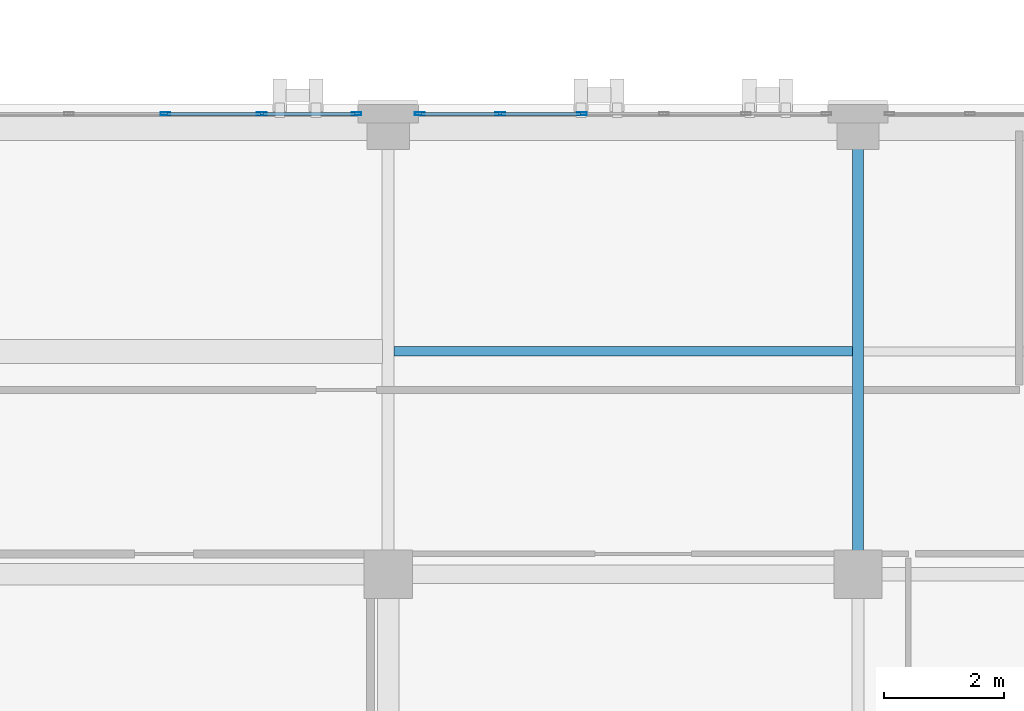
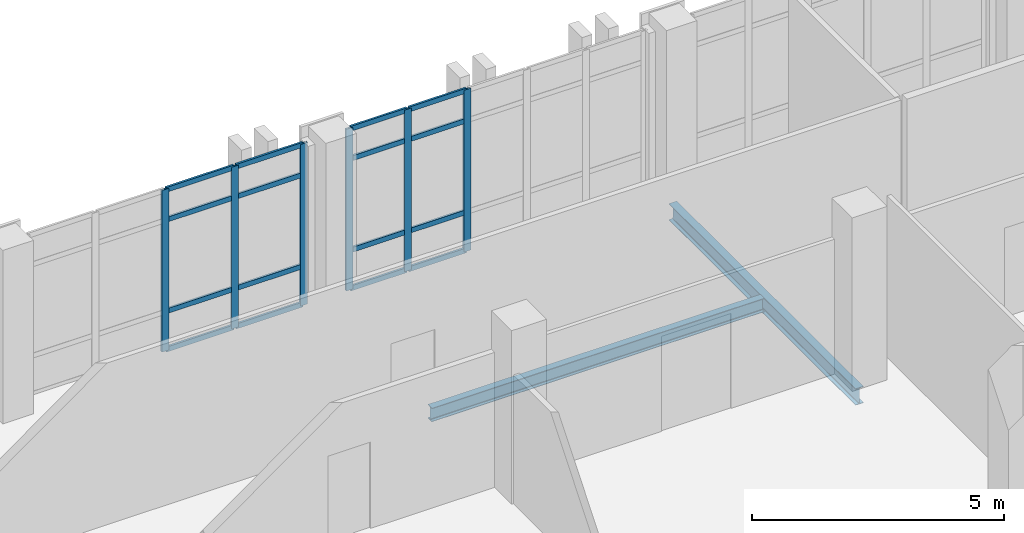
# One storey, part 122 of 193: 22 members, 2 beams, 2 elements without a shape of their own.
"""IFC4 building model written with IfcOpenShell, lengths in metres."""

from ifc_helpers import new_model, si_unit, direction, frame, origin, origin_2d, place, context, subcontext, project, spatial, hollow_rectangle, i_section, extrude, material, layer, layer_set, material_profile, profile_set, type_object, element, aggregate, save


model = new_model("IFC4")

# Units and contexts
model_context = context("Model", 3, precision=1e-05, world=origin(), true_north=direction((0.0, 1.0)))
body_context = subcontext(model_context, "Body", "Model", "MODEL_VIEW")
ifc_project = project(units=[si_unit("LENGTHUNIT", "METRE"), si_unit("AREAUNIT", "SQUARE_METRE"), si_unit("VOLUMEUNIT", "CUBIC_METRE"), si_unit("PLANEANGLEUNIT", "RADIAN"), si_unit("MASSUNIT", "GRAM", prefix="KILO")], contexts=[model_context])

# Site, building, storey
site_placement = place(None, origin())
site = spatial("IfcSite", under=ifc_project, at=site_placement, CompositionType="ELEMENT")
building_placement = place(site_placement, origin())
building = spatial("IfcBuilding", under=site, at=building_placement, Name="Qalavern Law Courts", CompositionType="ELEMENT")
storey_placement = place(building_placement, frame((0.0, 0.0, 10.199951171875)))
storey = spatial("IfcBuildingStorey", under=building, at=storey_placement, Name="L02", CompositionType="ELEMENT", Elevation=10.199951171875)

# Curtain wall, members
ifc_material_1 = material(Name="Anodised aluminium and insulated glazing", Category="aluminium")
ifc_layer = layer(ifc_material_1, 0.172119140625)
ifc_layer_set = layer_set([ifc_layer], Name="Anodised aluminium and insulated glazing")
curtain_wall_type = type_object("IfcCurtainWallType", Name="ENV-CW-COURT", PredefinedType="USERDEFINED", material=ifc_layer_set)
curtain_wall_1_placement = place(storey_placement, origin())
curtain_wall_1 = element("IfcCurtainWall", 1, at=curtain_wall_1_placement, inside=storey, type_object=curtain_wall_type, Name="V6 unitised curtain wall L02 north 4", ObjectType="UNITISED CURTAIN WALL", PredefinedType="USERDEFINED")
ifc_material_2 = material(Name="Anodised aluminium", Category="aluminium")
ifc_material_profile_1 = material_profile(ifc_material_2, hollow_rectangle(XDim=0.048095703125, YDim=0.159912109375, WallThickness=0.00390625, at=origin_2d()), Name="ALU MULLION 48x160")
ifc_profile_set_1 = profile_set([ifc_material_profile_1], Name="Anodised aluminium")
member_type_1 = type_object("IfcMemberType", Name="ENV-CWM-48x160", PredefinedType="MULLION", material=ifc_profile_set_1)
member_1_placement = place(storey_placement, frame((137.419921875, 22.445068359375, 0.0), z_axis=(0.0, 0.0, 1.0), x_axis=(0.0, -1.0, 0.0)))
member_1 = element("IfcMember", 2, at=member_1_placement, type_object=member_type_1, Name="CW-03 mullion 4", PredefinedType="MULLION", context=body_context, shape_type="SweptSolid", body=[
    extrude(hollow_rectangle(XDim=0.048095703125, YDim=0.159912109375, WallThickness=0.00390625, at=origin_2d()), origin(), (0.0, 0.0, 1.0), 3.9150390625),
])
member_2_placement = place(storey_placement, frame((136.06005859375, 22.445068359375, 0.0), z_axis=(0.0, 0.0, 1.0), x_axis=(0.0, -1.0, 0.0)))
member_2 = element("IfcMember", 3, at=member_2_placement, type_object=member_type_1, Name="CW-03 mullion 5", PredefinedType="MULLION", context=body_context, shape_type="SweptSolid", body=[
    extrude(hollow_rectangle(XDim=0.048095703125, YDim=0.159912109375, WallThickness=0.00390625, at=origin_2d()), origin(), (0.0, 0.0, 1.0), 3.9150390625),
])
member_3_placement = place(storey_placement, frame((134.72412109375, 22.445068359375, 0.0), z_axis=(0.0, 0.0, 1.0), x_axis=(0.0, -1.0, 0.0)))
member_3 = element("IfcMember", 4, at=member_3_placement, type_object=member_type_1, Name="CW-03 mullion 6", PredefinedType="MULLION", context=body_context, shape_type="SweptSolid", body=[
    extrude(hollow_rectangle(XDim=0.048095703125, YDim=0.159912109375, WallThickness=0.00390625, at=origin_2d()), origin(), (0.0, 0.0, 1.0), 3.9150390625),
])

curtain_wall_2_placement = place(storey_placement, origin())
curtain_wall_2 = element("IfcCurtainWall", 5, at=curtain_wall_2_placement, inside=storey, type_object=curtain_wall_type, Name="V6 unitised curtain wall L02 north 5", ObjectType="UNITISED CURTAIN WALL", PredefinedType="USERDEFINED")
member_4_placement = place(storey_placement, frame((133.676025390625, 22.445068359375, 0.0), z_axis=(0.0, 0.0, 1.0), x_axis=(0.0, -1.0, 0.0)))
member_4 = element("IfcMember", 6, at=member_4_placement, type_object=member_type_1, Name="CW-03 mullion 1", PredefinedType="MULLION", context=body_context, shape_type="SweptSolid", body=[
    extrude(hollow_rectangle(XDim=0.048095703125, YDim=0.159912109375, WallThickness=0.00390625, at=origin_2d()), origin(), (0.0, 0.0, 1.0), 3.9150390625),
])
member_5_placement = place(storey_placement, frame((132.10009765625, 22.445068359375, 0.0), z_axis=(0.0, 0.0, 1.0), x_axis=(0.0, -1.0, 0.0)))
member_5 = element("IfcMember", 7, at=member_5_placement, type_object=member_type_1, Name="CW-03 mullion 2", PredefinedType="MULLION", context=body_context, shape_type="SweptSolid", body=[
    extrude(hollow_rectangle(XDim=0.048095703125, YDim=0.159912109375, WallThickness=0.00390625, at=origin_2d()), origin(), (0.0, 0.0, 1.0), 3.9150390625),
])
member_6_placement = place(storey_placement, frame((130.5, 22.445068359375, 0.0), z_axis=(0.0, 0.0, 1.0), x_axis=(0.0, -1.0, 0.0)))
member_6 = element("IfcMember", 8, at=member_6_placement, type_object=member_type_1, Name="CW-03 mullion 3", PredefinedType="MULLION", context=body_context, shape_type="SweptSolid", body=[
    extrude(hollow_rectangle(XDim=0.048095703125, YDim=0.159912109375, WallThickness=0.00390625, at=origin_2d()), origin(), (0.0, 0.0, 1.0), 3.9150390625),
])

# Member
ifc_material_profile_2 = material_profile(ifc_material_2, hollow_rectangle(XDim=0.048095703125, YDim=0.1201171875, WallThickness=0.00390625, at=origin_2d()), Name="ALU TRANSOM 48x120")
ifc_profile_set_2 = profile_set([ifc_material_profile_2], Name="Anodised aluminium")
member_type_2 = type_object("IfcMemberType", Name="ENV-CWT-48x120", PredefinedType="USERDEFINED", material=ifc_profile_set_2)
member_7_placement = place(storey_placement, frame((137.39599609375, 22.445068359375, 0.024169921875), z_axis=(-1.0, 0.0, 0.0), x_axis=(0.0, -1.0, 0.0)))
member_7 = element("IfcMember", 9, at=member_7_placement, type_object=member_type_2, Name="CW-03 transom 4.1", ObjectType="TRANSOM", PredefinedType="USERDEFINED", context=body_context, shape_type="SweptSolid", body=[
    extrude(hollow_rectangle(XDim=0.048095703125, YDim=0.1201171875, WallThickness=0.00390625, at=origin_2d()), origin(), (0.0, 0.0, 1.0), 1.31201171875),
])

member_8_placement = place(storey_placement, frame((137.39599609375, 22.445068359375, 0.949951171875), z_axis=(-1.0, 0.0, 0.0), x_axis=(0.0, -1.0, 0.0)))
member_8 = element("IfcMember", 10, at=member_8_placement, type_object=member_type_2, Name="CW-03 transom 4.2", ObjectType="TRANSOM", PredefinedType="USERDEFINED", context=body_context, shape_type="SweptSolid", body=[
    extrude(hollow_rectangle(XDim=0.048095703125, YDim=0.1201171875, WallThickness=0.00390625, at=origin_2d()), origin(), (0.0, 0.0, 1.0), 1.31201171875),
])

member_9_placement = place(storey_placement, frame((137.39599609375, 22.445068359375, 3.1650390625), z_axis=(-1.0, 0.0, 0.0), x_axis=(0.0, -1.0, 0.0)))
member_9 = element("IfcMember", 11, at=member_9_placement, type_object=member_type_2, Name="CW-03 transom 4.3", ObjectType="TRANSOM", PredefinedType="USERDEFINED", context=body_context, shape_type="SweptSolid", body=[
    extrude(hollow_rectangle(XDim=0.048095703125, YDim=0.1201171875, WallThickness=0.00390625, at=origin_2d()), origin(), (0.0, 0.0, 1.0), 1.31201171875),
])

member_10_placement = place(storey_placement, frame((137.39599609375, 22.445068359375, 3.89111328125), z_axis=(-1.0, 0.0, 0.0), x_axis=(0.0, -1.0, 0.0)))
member_10 = element("IfcMember", 12, at=member_10_placement, type_object=member_type_2, Name="CW-03 transom 4.4", ObjectType="TRANSOM", PredefinedType="USERDEFINED", context=body_context, shape_type="SweptSolid", body=[
    extrude(hollow_rectangle(XDim=0.048095703125, YDim=0.1201171875, WallThickness=0.00390625, at=origin_2d()), origin(), (0.0, 0.0, 1.0), 1.31201171875),
])

member_11_placement = place(storey_placement, frame((136.035888671875, 22.445068359375, 0.024169921875), z_axis=(-1.0, 0.0, 0.0), x_axis=(0.0, -1.0, 0.0)))
member_11 = element("IfcMember", 13, at=member_11_placement, type_object=member_type_2, Name="CW-03 transom 5.1", ObjectType="TRANSOM", PredefinedType="USERDEFINED", context=body_context, shape_type="SweptSolid", body=[
    extrude(hollow_rectangle(XDim=0.048095703125, YDim=0.1201171875, WallThickness=0.00390625, at=origin_2d()), origin(), (0.0, 0.0, 1.0), 1.287841796875),
])

member_12_placement = place(storey_placement, frame((136.035888671875, 22.445068359375, 0.949951171875), z_axis=(-1.0, 0.0, 0.0), x_axis=(0.0, -1.0, 0.0)))
member_12 = element("IfcMember", 14, at=member_12_placement, type_object=member_type_2, Name="CW-03 transom 5.2", ObjectType="TRANSOM", PredefinedType="USERDEFINED", context=body_context, shape_type="SweptSolid", body=[
    extrude(hollow_rectangle(XDim=0.048095703125, YDim=0.1201171875, WallThickness=0.00390625, at=origin_2d()), origin(), (0.0, 0.0, 1.0), 1.287841796875),
])

member_13_placement = place(storey_placement, frame((136.035888671875, 22.445068359375, 3.1650390625), z_axis=(-1.0, 0.0, 0.0), x_axis=(0.0, -1.0, 0.0)))
member_13 = element("IfcMember", 15, at=member_13_placement, type_object=member_type_2, Name="CW-03 transom 5.3", ObjectType="TRANSOM", PredefinedType="USERDEFINED", context=body_context, shape_type="SweptSolid", body=[
    extrude(hollow_rectangle(XDim=0.048095703125, YDim=0.1201171875, WallThickness=0.00390625, at=origin_2d()), origin(), (0.0, 0.0, 1.0), 1.287841796875),
])

member_14_placement = place(storey_placement, frame((136.035888671875, 22.445068359375, 3.89111328125), z_axis=(-1.0, 0.0, 0.0), x_axis=(0.0, -1.0, 0.0)))
member_14 = element("IfcMember", 16, at=member_14_placement, type_object=member_type_2, Name="CW-03 transom 5.4", ObjectType="TRANSOM", PredefinedType="USERDEFINED", context=body_context, shape_type="SweptSolid", body=[
    extrude(hollow_rectangle(XDim=0.048095703125, YDim=0.1201171875, WallThickness=0.00390625, at=origin_2d()), origin(), (0.0, 0.0, 1.0), 1.287841796875),
])

aggregate(curtain_wall_1, [member_1, member_2, member_3, member_7, member_8, member_9, member_10, member_11, member_12, member_13, member_14])

member_15_placement = place(storey_placement, frame((133.652099609375, 22.445068359375, 0.024169921875), z_axis=(-1.0, 0.0, 0.0), x_axis=(0.0, -1.0, 0.0)))
member_15 = element("IfcMember", 17, at=member_15_placement, type_object=member_type_2, Name="CW-03 transom 1.1", ObjectType="TRANSOM", PredefinedType="USERDEFINED", context=body_context, shape_type="SweptSolid", body=[
    extrude(hollow_rectangle(XDim=0.048095703125, YDim=0.1201171875, WallThickness=0.00390625, at=origin_2d()), origin(), (0.0, 0.0, 1.0), 1.528076171875),
])

member_16_placement = place(storey_placement, frame((133.652099609375, 22.445068359375, 0.949951171875), z_axis=(-1.0, 0.0, 0.0), x_axis=(0.0, -1.0, 0.0)))
member_16 = element("IfcMember", 18, at=member_16_placement, type_object=member_type_2, Name="CW-03 transom 1.2", ObjectType="TRANSOM", PredefinedType="USERDEFINED", context=body_context, shape_type="SweptSolid", body=[
    extrude(hollow_rectangle(XDim=0.048095703125, YDim=0.1201171875, WallThickness=0.00390625, at=origin_2d()), origin(), (0.0, 0.0, 1.0), 1.528076171875),
])

member_17_placement = place(storey_placement, frame((133.652099609375, 22.445068359375, 3.1650390625), z_axis=(-1.0, 0.0, 0.0), x_axis=(0.0, -1.0, 0.0)))
member_17 = element("IfcMember", 19, at=member_17_placement, type_object=member_type_2, Name="CW-03 transom 1.3", ObjectType="TRANSOM", PredefinedType="USERDEFINED", context=body_context, shape_type="SweptSolid", body=[
    extrude(hollow_rectangle(XDim=0.048095703125, YDim=0.1201171875, WallThickness=0.00390625, at=origin_2d()), origin(), (0.0, 0.0, 1.0), 1.528076171875),
])

member_18_placement = place(storey_placement, frame((133.652099609375, 22.445068359375, 3.89111328125), z_axis=(-1.0, 0.0, 0.0), x_axis=(0.0, -1.0, 0.0)))
member_18 = element("IfcMember", 20, at=member_18_placement, type_object=member_type_2, Name="CW-03 transom 1.4", ObjectType="TRANSOM", PredefinedType="USERDEFINED", context=body_context, shape_type="SweptSolid", body=[
    extrude(hollow_rectangle(XDim=0.048095703125, YDim=0.1201171875, WallThickness=0.00390625, at=origin_2d()), origin(), (0.0, 0.0, 1.0), 1.528076171875),
])

member_19_placement = place(storey_placement, frame((132.075927734375, 22.445068359375, 0.024169921875), z_axis=(-1.0, 0.0, 0.0), x_axis=(0.0, -1.0, 0.0)))
member_19 = element("IfcMember", 21, at=member_19_placement, type_object=member_type_2, Name="CW-03 transom 2.1", ObjectType="TRANSOM", PredefinedType="USERDEFINED", context=body_context, shape_type="SweptSolid", body=[
    extrude(hollow_rectangle(XDim=0.048095703125, YDim=0.1201171875, WallThickness=0.00390625, at=origin_2d()), origin(), (0.0, 0.0, 1.0), 1.552001953125),
])

member_20_placement = place(storey_placement, frame((132.075927734375, 22.445068359375, 0.949951171875), z_axis=(-1.0, 0.0, 0.0), x_axis=(0.0, -1.0, 0.0)))
member_20 = element("IfcMember", 22, at=member_20_placement, type_object=member_type_2, Name="CW-03 transom 2.2", ObjectType="TRANSOM", PredefinedType="USERDEFINED", context=body_context, shape_type="SweptSolid", body=[
    extrude(hollow_rectangle(XDim=0.048095703125, YDim=0.1201171875, WallThickness=0.00390625, at=origin_2d()), origin(), (0.0, 0.0, 1.0), 1.552001953125),
])

member_21_placement = place(storey_placement, frame((132.075927734375, 22.445068359375, 3.1650390625), z_axis=(-1.0, 0.0, 0.0), x_axis=(0.0, -1.0, 0.0)))
member_21 = element("IfcMember", 23, at=member_21_placement, type_object=member_type_2, Name="CW-03 transom 2.3", ObjectType="TRANSOM", PredefinedType="USERDEFINED", context=body_context, shape_type="SweptSolid", body=[
    extrude(hollow_rectangle(XDim=0.048095703125, YDim=0.1201171875, WallThickness=0.00390625, at=origin_2d()), origin(), (0.0, 0.0, 1.0), 1.552001953125),
])

member_22_placement = place(storey_placement, frame((132.075927734375, 22.445068359375, 3.89111328125), z_axis=(-1.0, 0.0, 0.0), x_axis=(0.0, -1.0, 0.0)))
member_22 = element("IfcMember", 24, at=member_22_placement, type_object=member_type_2, Name="CW-03 transom 2.4", ObjectType="TRANSOM", PredefinedType="USERDEFINED", context=body_context, shape_type="SweptSolid", body=[
    extrude(hollow_rectangle(XDim=0.048095703125, YDim=0.1201171875, WallThickness=0.00390625, at=origin_2d()), origin(), (0.0, 0.0, 1.0), 1.552001953125),
])

aggregate(curtain_wall_2, [member_4, member_5, member_6, member_15, member_16, member_17, member_18, member_19, member_20, member_21, member_22])

# Beams
ifc_material_3 = material(Name="Steel S355", Category="steel")
ifc_material_profile_3 = material_profile(ifc_material_3, i_section(OverallWidth=0.179931640625, OverallDepth=0.39990234375, WebThickness=0.008544921875, FlangeThickness=0.013427734375, FilletRadius=0.02099609375, at=origin_2d()), Name="IPE 400")
ifc_profile_set_3 = profile_set([ifc_material_profile_3], Name="Steel S355")
beam_type_1 = type_object("IfcBeamType", Name="STR-BM-IPE400", PredefinedType="BEAM", material=ifc_profile_set_3)
beam_1_placement = place(storey_placement, frame((142.0, 14.800048828125, -0.489990234375), z_axis=(0.0, 1.0, 0.0), x_axis=(-1.0, 0.0, 0.0)))
element("IfcBeam", 25, at=beam_1_placement, inside=storey, type_object=beam_type_1, Name="V6 Y-beam 6-3 L02", PredefinedType="BEAM", context=body_context, shape_type="SweptSolid", body=[
    extrude(i_section(OverallWidth=0.179931640625, OverallDepth=0.39990234375, WebThickness=0.008544921875, FlangeThickness=0.013427734375, FilletRadius=0.02099609375, at=origin_2d()), origin(), (0.0, 0.0, 1.0), 7.39990234375),
])
ifc_material_profile_4 = material_profile(ifc_material_3, i_section(OverallWidth=0.159912109375, OverallDepth=0.330078125, WebThickness=0.007568359375, FlangeThickness=0.011474609375, FilletRadius=0.01806640625, at=origin_2d()), Name="IPE 330")
ifc_profile_set_4 = profile_set([ifc_material_profile_4], Name="Steel S355")
beam_type_2 = type_object("IfcBeamType", Name="STR-JST-IPE330", PredefinedType="JOIST", material=ifc_profile_set_4)
beam_2_placement = place(storey_placement, frame((134.298095703125, 18.5, -0.454833984375), z_axis=(1.0, 0.0, 0.0), x_axis=(0.0, 1.0, 0.0)))
element("IfcBeam", 26, at=beam_2_placement, inside=storey, type_object=beam_type_2, Name="V6 secondary joist 5.3.1 L02", PredefinedType="JOIST", context=body_context, shape_type="SweptSolid", body=[
    extrude(i_section(OverallWidth=0.159912109375, OverallDepth=0.330078125, WebThickness=0.007568359375, FlangeThickness=0.011474609375, FilletRadius=0.01806640625, at=origin_2d()), origin(), (0.0, 0.0, 1.0), 7.614013671875),
])

save(model, "model.ifc")
